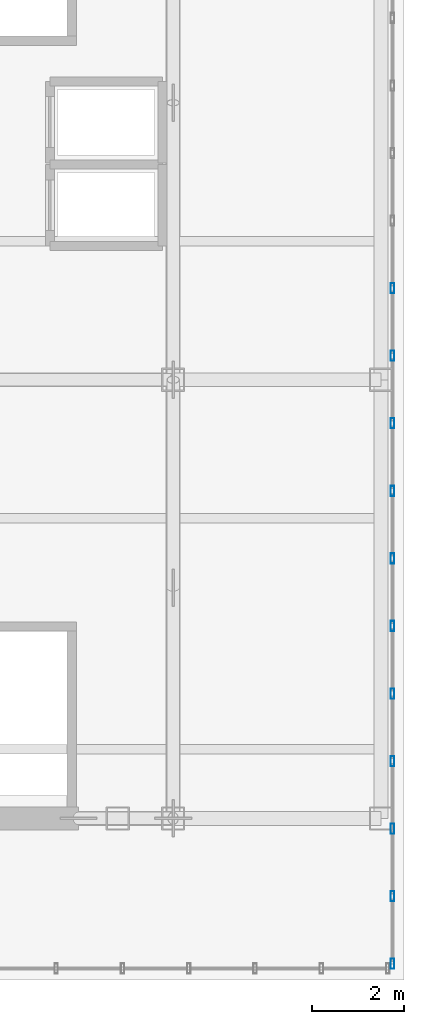
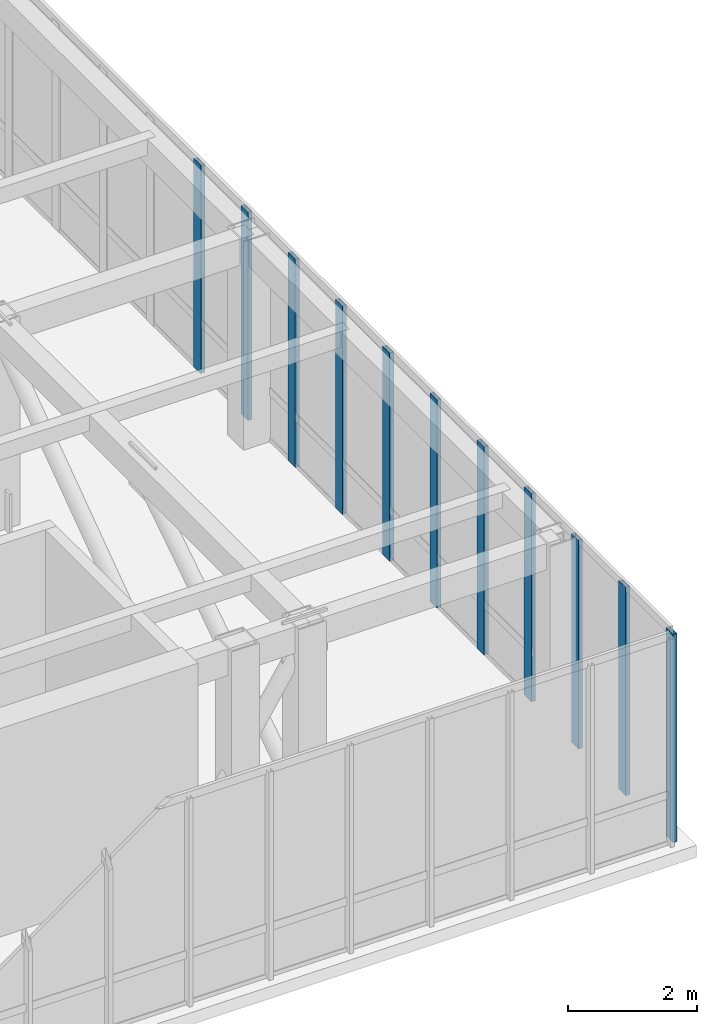
# One storey, part 5 of 13: 11 members, 1 element without a shape of its own.
"""IFC4 building model written with IfcOpenShell, lengths in metres."""

from ifc_helpers import new_model, si_unit, direction, frame, origin, origin_2d, place, context, subcontext, project, spatial, hollow_rectangle, extrude, source, transform, mapped, material, layer, layer_set, material_profile, profile_set, type_object, element, aggregate, save


model = new_model("IFC4")

# Units and contexts
model_context = context("Model", 3, precision=1e-05, world=origin(), true_north=direction((0.0, 1.0)))
body_context = subcontext(model_context, "Body", "Model", "MODEL_VIEW")
ifc_project = project(units=[si_unit("LENGTHUNIT", "METRE"), si_unit("AREAUNIT", "SQUARE_METRE"), si_unit("VOLUMEUNIT", "CUBIC_METRE"), si_unit("PLANEANGLEUNIT", "RADIAN"), si_unit("MASSUNIT", "GRAM", prefix="KILO")], contexts=[model_context])

# Site, building, storey
site_placement = place(None, origin())
site = spatial("IfcSite", under=ifc_project, at=site_placement, CompositionType="ELEMENT")
building_placement = place(site_placement, origin())
building = spatial("IfcBuilding", under=site, at=building_placement, Name="Kharzan Plaza Tower", CompositionType="ELEMENT")
storey_placement = place(building_placement, frame((0.0, 0.0, 298.199951171875)))
storey = spatial("IfcBuildingStorey", under=building, at=storey_placement, Name="L80-CROWN", CompositionType="ELEMENT", Elevation=298.199951171875)

# Curtain wall, members
ifc_material_1 = material(Name="Unitised Bronze-Anodized Aluminium and Low-E Glass", Category="aluminium")
ifc_layer = layer(ifc_material_1, 0.199951171875)
ifc_layer_set = layer_set([ifc_layer], Name="Unitised Bronze-Anodized Aluminium and Low-E Glass")
curtain_wall_type = type_object("IfcCurtainWallType", Name="CW-LANTERN-6", PredefinedType="NOTDEFINED", material=ifc_layer_set)
curtain_wall_placement = place(storey_placement, origin())
curtain_wall = element("IfcCurtainWall", 1, at=curtain_wall_placement, inside=storey, type_object=curtain_wall_type, Name="L80-CROWN Lantern Crown Illuminated Curtain Wall 2", PredefinedType="NOTDEFINED")
ifc_material_2 = material(Name="Anodized Bronze Aluminium", Category="aluminium")
ifc_material_profile = material_profile(ifc_material_2, hollow_rectangle(XDim=0.074951171875, YDim=0.219970703125, WallThickness=0.00390625, at=origin_2d()), Name="ALU-M220x75x4")
ifc_profile_set = profile_set([ifc_material_profile], Name="Anodized Bronze Aluminium")
member_type = type_object("IfcMemberType", Name="MEM-CW-MUL200", PredefinedType="MULLION", material=ifc_profile_set)
shared_shape = source(origin(), body_context, "Body", "SweptSolid", [
    extrude(hollow_rectangle(XDim=0.074951171875, YDim=0.219970703125, WallThickness=0.00390625, at=origin_2d()), origin(), (0.0, 0.0, 1.0), 3.93994140625),
])
member_1_placement = place(storey_placement, frame((19.25, 5.35009765625, 0.0), z_axis=(0.0, 0.0, 1.0), x_axis=(1.0, 0.0, 0.0)))
member_1 = element("IfcMember", 2, at=member_1_placement, type_object=member_type, Name="L80-CROWN Curtain-Wall Mullion 00", PredefinedType="MULLION", context=body_context, shape_type="MappedRepresentation", body=[
    mapped(shared_shape, transform((0.0, 0.0, 0.0), x_axis=(1.0, 0.0, 0.0), y_axis=(0.0, 1.0, 0.0), z_axis=(0.0, 0.0, 1.0))),
])
member_2_placement = place(storey_placement, frame((19.25, 6.813232421875, 0.0), z_axis=(0.0, 0.0, 1.0), x_axis=(1.0, 0.0, 0.0)))
member_2 = element("IfcMember", 3, at=member_2_placement, type_object=member_type, Name="L80-CROWN Curtain-Wall Mullion 01", PredefinedType="MULLION", context=body_context, shape_type="MappedRepresentation", body=[
    mapped(shared_shape, transform((0.0, 0.0, 0.0), x_axis=(1.0, 0.0, 0.0), y_axis=(0.0, 1.0, 0.0), z_axis=(0.0, 0.0, 1.0))),
])
member_3_placement = place(storey_placement, frame((19.25, 8.2763671875, 0.0), z_axis=(0.0, 0.0, 1.0), x_axis=(1.0, 0.0, 0.0)))
member_3 = element("IfcMember", 4, at=member_3_placement, type_object=member_type, Name="L80-CROWN Curtain-Wall Mullion 02", PredefinedType="MULLION", context=body_context, shape_type="MappedRepresentation", body=[
    mapped(shared_shape, transform((0.0, 0.0, 0.0), x_axis=(1.0, 0.0, 0.0), y_axis=(0.0, 1.0, 0.0), z_axis=(0.0, 0.0, 1.0))),
])
member_4_placement = place(storey_placement, frame((19.25, 9.739501953125, 0.0), z_axis=(0.0, 0.0, 1.0), x_axis=(1.0, 0.0, 0.0)))
member_4 = element("IfcMember", 5, at=member_4_placement, type_object=member_type, Name="L80-CROWN Curtain-Wall Mullion 03", PredefinedType="MULLION", context=body_context, shape_type="MappedRepresentation", body=[
    mapped(shared_shape, transform((0.0, 0.0, 0.0), x_axis=(1.0, 0.0, 0.0), y_axis=(0.0, 1.0, 0.0), z_axis=(0.0, 0.0, 1.0))),
])
member_5_placement = place(storey_placement, frame((19.25, 11.20263671875, 0.0), z_axis=(0.0, 0.0, 1.0), x_axis=(1.0, 0.0, 0.0)))
member_5 = element("IfcMember", 6, at=member_5_placement, type_object=member_type, Name="L80-CROWN Curtain-Wall Mullion 04", PredefinedType="MULLION", context=body_context, shape_type="MappedRepresentation", body=[
    mapped(shared_shape, transform((0.0, 0.0, 0.0), x_axis=(1.0, 0.0, 0.0), y_axis=(0.0, 1.0, 0.0), z_axis=(0.0, 0.0, 1.0))),
])
member_6_placement = place(storey_placement, frame((19.25, 12.665771484375, 0.0), z_axis=(0.0, 0.0, 1.0), x_axis=(1.0, 0.0, 0.0)))
member_6 = element("IfcMember", 7, at=member_6_placement, type_object=member_type, Name="L80-CROWN Curtain-Wall Mullion 05", PredefinedType="MULLION", context=body_context, shape_type="MappedRepresentation", body=[
    mapped(shared_shape, transform((0.0, 0.0, 0.0), x_axis=(1.0, 0.0, 0.0), y_axis=(0.0, 1.0, 0.0), z_axis=(0.0, 0.0, 1.0))),
])
member_7_placement = place(storey_placement, frame((19.25, 14.12890625, 0.0), z_axis=(0.0, 0.0, 1.0), x_axis=(1.0, 0.0, 0.0)))
member_7 = element("IfcMember", 8, at=member_7_placement, type_object=member_type, Name="L80-CROWN Curtain-Wall Mullion 06", PredefinedType="MULLION", context=body_context, shape_type="MappedRepresentation", body=[
    mapped(shared_shape, transform((0.0, 0.0, 0.0), x_axis=(1.0, 0.0, 0.0), y_axis=(0.0, 1.0, 0.0), z_axis=(0.0, 0.0, 1.0))),
])
member_8_placement = place(storey_placement, frame((19.25, 15.592041015625, 0.0), z_axis=(0.0, 0.0, 1.0), x_axis=(1.0, 0.0, 0.0)))
member_8 = element("IfcMember", 9, at=member_8_placement, type_object=member_type, Name="L80-CROWN Curtain-Wall Mullion 07", PredefinedType="MULLION", context=body_context, shape_type="MappedRepresentation", body=[
    mapped(shared_shape, transform((0.0, 0.0, 0.0), x_axis=(1.0, 0.0, 0.0), y_axis=(0.0, 1.0, 0.0), z_axis=(0.0, 0.0, 1.0))),
])
member_9_placement = place(storey_placement, frame((19.25, 17.055419921875, 0.0), z_axis=(0.0, 0.0, 1.0), x_axis=(1.0, 0.0, 0.0)))
member_9 = element("IfcMember", 10, at=member_9_placement, type_object=member_type, Name="L80-CROWN Curtain-Wall Mullion 08", PredefinedType="MULLION", context=body_context, shape_type="MappedRepresentation", body=[
    mapped(shared_shape, transform((0.0, 0.0, 0.0), x_axis=(1.0, 0.0, 0.0), y_axis=(0.0, 1.0, 0.0), z_axis=(0.0, 0.0, 1.0))),
])
member_10_placement = place(storey_placement, frame((19.25, 18.518310546875, 0.0), z_axis=(0.0, 0.0, 1.0), x_axis=(1.0, 0.0, 0.0)))
member_10 = element("IfcMember", 11, at=member_10_placement, type_object=member_type, Name="L80-CROWN Curtain-Wall Mullion 09", PredefinedType="MULLION", context=body_context, shape_type="MappedRepresentation", body=[
    mapped(shared_shape, transform((0.0, 0.0, 0.0), x_axis=(1.0, 0.0, 0.0), y_axis=(0.0, 1.0, 0.0), z_axis=(0.0, 0.0, 1.0))),
])
member_11_placement = place(storey_placement, frame((19.25, 19.981689453125, 0.0), z_axis=(0.0, 0.0, 1.0), x_axis=(1.0, 0.0, 0.0)))
member_11 = element("IfcMember", 12, at=member_11_placement, type_object=member_type, Name="L80-CROWN Curtain-Wall Mullion 10", PredefinedType="MULLION", context=body_context, shape_type="MappedRepresentation", body=[
    mapped(shared_shape, transform((0.0, 0.0, 0.0), x_axis=(1.0, 0.0, 0.0), y_axis=(0.0, 1.0, 0.0), z_axis=(0.0, 0.0, 1.0))),
])
aggregate(curtain_wall, [member_1, member_2, member_3, member_4, member_5, member_6, member_7, member_8, member_9, member_10, member_11])

save(model, "model.ifc")
